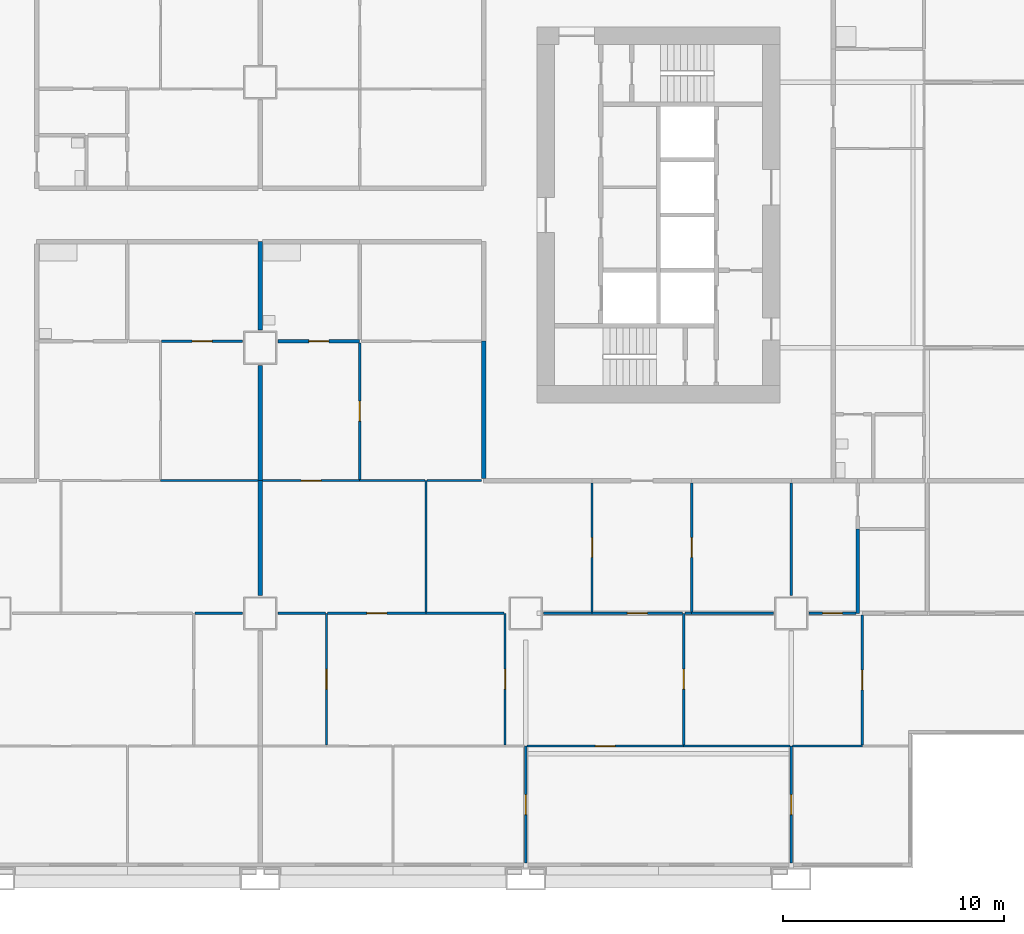
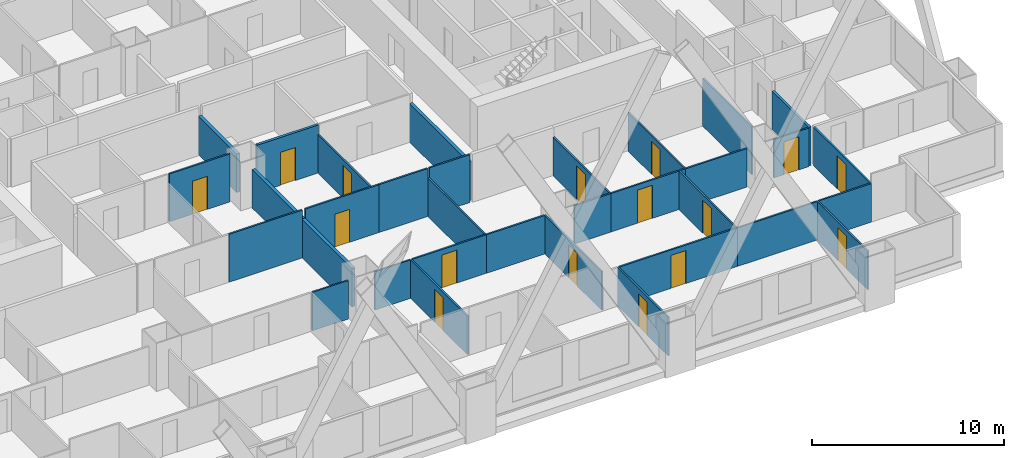
# One storey, part 5 of 13: 34 walls, 16 doors, 16 openings.
"""IFC4 building model written with IfcOpenShell, lengths in metres."""

from ifc_helpers import new_model, si_unit, direction, frame, frame_2d, origin, place, context, subcontext, project, spatial, rectangle, extrude, material, layer, layer_set, type_object, element, fill, save


model = new_model("IFC4")

# Units and contexts
model_context = context("Model", 3, precision=1e-05, world=origin(), true_north=direction((0.0, 1.0)))
body_context = subcontext(model_context, "Body", "Model", "MODEL_VIEW")
ifc_project = project(units=[si_unit("LENGTHUNIT", "METRE"), si_unit("AREAUNIT", "SQUARE_METRE"), si_unit("VOLUMEUNIT", "CUBIC_METRE"), si_unit("PLANEANGLEUNIT", "RADIAN"), si_unit("MASSUNIT", "GRAM", prefix="KILO")], contexts=[model_context])

# Site, building, storey
site_placement = place(None, origin())
site = spatial("IfcSite", under=ifc_project, at=site_placement, CompositionType="ELEMENT")
building_placement = place(site_placement, origin())
building = spatial("IfcBuilding", under=site, at=building_placement, Name="Kitamizu Gate Tower and Museum", CompositionType="ELEMENT")
storey_placement = place(building_placement, frame((0.0, 0.0, 30.0)))
storey = spatial("IfcBuildingStorey", under=building, at=storey_placement, Name="L05", CompositionType="ELEMENT", Elevation=30.0)

# Walls
ifc_material_1 = material(Name="Gypsum board on galvanised stud")
ifc_layer_1 = layer(ifc_material_1, 0.10009765625)
ifc_layer_set_1 = layer_set([ifc_layer_1], Name="Gypsum board on galvanised stud")
wall_type_1 = type_object("IfcWallType", Name="Partition 100 NOT RATED", PredefinedType="PARTITIONING", material=ifc_layer_set_1)
wall_1_placement = place(storey_placement, frame((35.199951171875, 12.0, 0.0), z_axis=(0.0, 0.0, 1.0), x_axis=(-1.0, 0.0, 0.0)))
element("IfcWall", 1, at=wall_1_placement, inside=storey, type_object=wall_type_1, Name="Partition L05-025", PredefinedType="PARTITIONING", context=body_context, shape_type="SweptSolid", body=[
    extrude(rectangle(XDim=2.14990234375, YDim=0.10009765625, at=frame_2d((1.074951171875, 0.0))), origin(), (0.0, 0.0, 1.0), 2.449951171875),
])
wall_2_placement = place(storey_placement, frame((35.89990234375, 18.0, 0.0), z_axis=(0.0, 0.0, 1.0), x_axis=(-1.0, 0.0, 0.0)))
element("IfcWall", 2, at=wall_2_placement, inside=storey, type_object=wall_type_1, Name="Partition L05-037", PredefinedType="PARTITIONING", context=body_context, shape_type="SweptSolid", body=[
    extrude(rectangle(XDim=4.39990234375, YDim=0.10009765625, at=frame_2d((2.199951171875, 0.0))), origin(), (0.0, 0.0, 1.0), 3.050048828125),
])

# Wall, opening, door
wall_3_placement = place(storey_placement, frame((35.199951171875, 24.300048828125, 0.0), z_axis=(0.0, 0.0, 1.0), x_axis=(-1.0, 0.0, 0.0)))
wall_3 = element("IfcWall", 3, at=wall_3_placement, inside=storey, type_object=wall_type_1, Name="Partition L05-044", PredefinedType="PARTITIONING", context=body_context, shape_type="SweptSolid", body=[
    extrude(rectangle(XDim=3.64990234375, YDim=0.10009765625, at=frame_2d((1.824951171875, 0.0))), origin(), (0.0, 0.0, 1.0), 3.050048828125),
])
opening_1_placement = place(wall_3_placement, frame((1.375, 0.0, 0.0)))
opening_1 = element("IfcOpeningElement", 4, at=opening_1_placement, cuts=wall_3, Name="Opening L05-018", PredefinedType="OPENING", context=body_context, shape_type="SweptSolid", body=[
    extrude(rectangle(XDim=0.89990234375, YDim=2.10009765625, at=frame_2d((0.449951171875, 1.050048828125))), frame((0.0, 0.06005859375, 0.0), z_axis=(0.0, -1.0, 0.0), x_axis=(1.0, 0.0, 0.0)), (0.0, 0.0, 1.0), 0.1201171875),
])
ifc_material_2 = material(Name="Timber door set", Category="wood")
door_type_1 = type_object("IfcDoorType", Name="Room door 900", OperationType="NOTDEFINED", PredefinedType="DOOR", material=ifc_material_2)
door_1_placement = place(opening_1_placement, frame((0.89990234375, 0.0, 0.0), x_axis=(-1.0, 0.0, 0.0)))
door_1 = element("IfcDoor", 5, at=door_1_placement, inside=storey, type_object=door_type_1, Name="Door L05-018", OperationType="SINGLE_SWING_LEFT", OverallHeight=2.10009765625, OverallWidth=0.89990234375, PredefinedType="DOOR", context=body_context, shape_type="SweptSolid", body=[
    extrude(rectangle(XDim=0.89990234375, YDim=2.10009765625, at=frame_2d((0.449951171875, 1.050048828125))), frame((0.0, 0.02490234375, 0.0), z_axis=(0.0, -1.0, 0.0), x_axis=(1.0, 0.0, 0.0)), (0.0, 0.0, 1.0), 0.050048828125),
])
fill(opening_1, door_1)

wall_4_placement = place(storey_placement, frame((48.0, 0.719970703125, 0.0), z_axis=(0.0, 0.0, 1.0), x_axis=(0.0, 1.0, 0.0)))
wall_4 = element("IfcWall", 6, at=wall_4_placement, inside=storey, type_object=wall_type_1, Name="Partition L05-076", PredefinedType="PARTITIONING", context=body_context, shape_type="SweptSolid", body=[
    extrude(rectangle(XDim=5.280029296875, YDim=0.10009765625, at=frame_2d((2.64013671875, 0.0))), origin(), (0.0, 0.0, 1.0), 2.449951171875),
])
opening_2_placement = place(wall_4_placement, frame((2.18994140625, 0.0, 0.0)))
opening_2 = element("IfcOpeningElement", 7, at=opening_2_placement, cuts=wall_4, Name="Opening L05-032", PredefinedType="OPENING", context=body_context, shape_type="SweptSolid", body=[
    extrude(rectangle(XDim=0.89990234375, YDim=2.10009765625, at=frame_2d((0.449951171875, 1.050048828125))), frame((0.0, 0.06005859375, 0.0), z_axis=(0.0, -1.0, 0.0), x_axis=(1.0, 0.0, 0.0)), (0.0, 0.0, 1.0), 0.1201171875),
])
door_2_placement = place(opening_2_placement, origin())
door_2 = element("IfcDoor", 8, at=door_2_placement, inside=storey, type_object=door_type_1, Name="Door L05-032", OperationType="SINGLE_SWING_LEFT", OverallHeight=2.10009765625, OverallWidth=0.89990234375, PredefinedType="DOOR", context=body_context, shape_type="SweptSolid", body=[
    extrude(rectangle(XDim=0.89990234375, YDim=2.10009765625, at=frame_2d((0.449951171875, 1.050048828125))), frame((0.0, 0.02490234375, 0.0), z_axis=(0.0, -1.0, 0.0), x_axis=(1.0, 0.0, 0.0)), (0.0, 0.0, 1.0), 0.050048828125),
])
fill(opening_2, door_2)

wall_5_placement = place(storey_placement, frame((60.0, 0.719970703125, 0.0), z_axis=(0.0, 0.0, 1.0), x_axis=(0.0, 1.0, 0.0)))
wall_5 = element("IfcWall", 9, at=wall_5_placement, inside=storey, type_object=wall_type_1, Name="Partition L05-079", PredefinedType="PARTITIONING", context=body_context, shape_type="SweptSolid", body=[
    extrude(rectangle(XDim=5.280029296875, YDim=0.10009765625, at=frame_2d((2.64013671875, 0.0))), origin(), (0.0, 0.0, 1.0), 2.449951171875),
])
opening_3_placement = place(wall_5_placement, frame((2.18994140625, 0.0, 0.0)))
opening_3 = element("IfcOpeningElement", 10, at=opening_3_placement, cuts=wall_5, Name="Opening L05-035", PredefinedType="OPENING", context=body_context, shape_type="SweptSolid", body=[
    extrude(rectangle(XDim=0.89990234375, YDim=2.10009765625, at=frame_2d((0.449951171875, 1.050048828125))), frame((0.0, 0.06005859375, 0.0), z_axis=(0.0, -1.0, 0.0), x_axis=(1.0, 0.0, 0.0)), (0.0, 0.0, 1.0), 0.1201171875),
])
door_3_placement = place(opening_3_placement, frame((0.89990234375, 0.0, 0.0), x_axis=(-1.0, 0.0, 0.0)))
door_3 = element("IfcDoor", 11, at=door_3_placement, inside=storey, type_object=door_type_1, Name="Door L05-035", OperationType="SINGLE_SWING_RIGHT", OverallHeight=2.10009765625, OverallWidth=0.89990234375, PredefinedType="DOOR", context=body_context, shape_type="SweptSolid", body=[
    extrude(rectangle(XDim=0.89990234375, YDim=2.10009765625, at=frame_2d((0.449951171875, 1.050048828125))), frame((0.0, 0.02490234375, 0.0), z_axis=(0.0, -1.0, 0.0), x_axis=(1.0, 0.0, 0.0)), (0.0, 0.0, 1.0), 0.050048828125),
])
fill(opening_3, door_3)

wall_6_placement = place(storey_placement, frame((55.139892578125, 6.0, 0.0), z_axis=(0.0, 0.0, 1.0), x_axis=(-1.0, 0.0, 0.0)))
wall_6 = element("IfcWall", 12, at=wall_6_placement, inside=storey, type_object=wall_type_1, Name="Partition L05-080", PredefinedType="PARTITIONING", context=body_context, shape_type="SweptSolid", body=[
    extrude(rectangle(XDim=7.08984375, YDim=0.10009765625, at=frame_2d((3.544921875, 0.0))), origin(), (0.0, 0.0, 1.0), 2.449951171875),
])
opening_4_placement = place(wall_6_placement, frame((3.094970703125, 0.0, 0.0)))
opening_4 = element("IfcOpeningElement", 13, at=opening_4_placement, cuts=wall_6, Name="Opening L05-029", PredefinedType="OPENING", context=body_context, shape_type="SweptSolid", body=[
    extrude(rectangle(XDim=0.89990234375, YDim=2.10009765625, at=frame_2d((0.449951171875, 1.050048828125))), frame((0.0, 0.06005859375, 0.0), z_axis=(0.0, -1.0, 0.0), x_axis=(1.0, 0.0, 0.0)), (0.0, 0.0, 1.0), 0.1201171875),
])
door_4_placement = place(opening_4_placement, frame((0.89990234375, 0.0, 0.0), x_axis=(-1.0, 0.0, 0.0)))
door_4 = element("IfcDoor", 14, at=door_4_placement, inside=storey, type_object=door_type_1, Name="Door L05-029", OperationType="SINGLE_SWING_LEFT", OverallHeight=2.10009765625, OverallWidth=0.89990234375, PredefinedType="DOOR", context=body_context, shape_type="SweptSolid", body=[
    extrude(rectangle(XDim=0.89990234375, YDim=2.10009765625, at=frame_2d((0.449951171875, 1.050048828125))), frame((0.0, 0.02490234375, 0.0), z_axis=(0.0, -1.0, 0.0), x_axis=(1.0, 0.0, 0.0)), (0.0, 0.0, 1.0), 0.050048828125),
])
fill(opening_4, door_4)

# Walls
wall_7_placement = place(storey_placement, frame((59.949951171875, 6.0, 0.0), z_axis=(0.0, 0.0, 1.0), x_axis=(-1.0, 0.0, 0.0)))
element("IfcWall", 15, at=wall_7_placement, inside=storey, type_object=wall_type_1, Name="Partition L05-081", PredefinedType="PARTITIONING", context=body_context, shape_type="SweptSolid", body=[
    extrude(rectangle(XDim=4.81005859375, YDim=0.10009765625, at=frame_2d((2.405029296875, 0.0))), origin(), (0.0, 0.0, 1.0), 2.449951171875),
])
wall_8_placement = place(storey_placement, frame((63.2099609375, 6.0, 0.0), z_axis=(0.0, 0.0, 1.0), x_axis=(-1.0, 0.0, 0.0)))
element("IfcWall", 16, at=wall_8_placement, inside=storey, type_object=wall_type_1, Name="Partition L05-082", PredefinedType="PARTITIONING", context=body_context, shape_type="SweptSolid", body=[
    extrude(rectangle(XDim=3.159912109375, YDim=0.10009765625, at=frame_2d((1.580078125, 0.0))), origin(), (0.0, 0.0, 1.0), 2.449951171875),
])

# Wall, opening, door
wall_9_placement = place(storey_placement, frame((39.0, 6.050048828125, 0.0), z_axis=(0.0, 0.0, 1.0), x_axis=(0.0, 1.0, 0.0)))
wall_9 = element("IfcWall", 17, at=wall_9_placement, inside=storey, type_object=wall_type_1, Name="Partition L05-084", PredefinedType="PARTITIONING", context=body_context, shape_type="SweptSolid", body=[
    extrude(rectangle(XDim=5.949951171875, YDim=0.10009765625, at=frame_2d((2.97509765625, 0.0))), origin(), (0.0, 0.0, 1.0), 2.449951171875),
])
opening_5_placement = place(wall_9_placement, frame((2.52490234375, 0.0, 0.0)))
opening_5 = element("IfcOpeningElement", 18, at=opening_5_placement, cuts=wall_9, Name="Opening L05-036", PredefinedType="OPENING", context=body_context, shape_type="SweptSolid", body=[
    extrude(rectangle(XDim=0.89990234375, YDim=2.10009765625, at=frame_2d((0.449951171875, 1.050048828125))), frame((0.0, 0.06005859375, 0.0), z_axis=(0.0, -1.0, 0.0), x_axis=(1.0, 0.0, 0.0)), (0.0, 0.0, 1.0), 0.1201171875),
])
door_5_placement = place(opening_5_placement, origin())
door_5 = element("IfcDoor", 19, at=door_5_placement, inside=storey, type_object=door_type_1, Name="Door L05-036", OperationType="SINGLE_SWING_RIGHT", OverallHeight=2.10009765625, OverallWidth=0.89990234375, PredefinedType="DOOR", context=body_context, shape_type="SweptSolid", body=[
    extrude(rectangle(XDim=0.89990234375, YDim=2.10009765625, at=frame_2d((0.449951171875, 1.050048828125))), frame((0.0, 0.02490234375, 0.0), z_axis=(0.0, -1.0, 0.0), x_axis=(1.0, 0.0, 0.0)), (0.0, 0.0, 1.0), 0.050048828125),
])
fill(opening_5, door_5)

# Wall
wall_10_placement = place(storey_placement, frame((38.949951171875, 12.0, 0.0), z_axis=(0.0, 0.0, 1.0), x_axis=(-1.0, 0.0, 0.0)))
element("IfcWall", 20, at=wall_10_placement, inside=storey, type_object=wall_type_1, Name="Partition L05-085", PredefinedType="PARTITIONING", context=body_context, shape_type="SweptSolid", body=[
    extrude(rectangle(XDim=2.14990234375, YDim=0.10009765625, at=frame_2d((1.074951171875, 0.0))), origin(), (0.0, 0.0, 1.0), 2.449951171875),
])

# Wall, opening, door
wall_11_placement = place(storey_placement, frame((47.070068359375, 6.050048828125, 0.0), z_axis=(0.0, 0.0, 1.0), x_axis=(0.0, 1.0, 0.0)))
wall_11 = element("IfcWall", 21, at=wall_11_placement, inside=storey, type_object=wall_type_1, Name="Partition L05-086", PredefinedType="PARTITIONING", context=body_context, shape_type="SweptSolid", body=[
    extrude(rectangle(XDim=5.949951171875, YDim=0.10009765625, at=frame_2d((2.97509765625, 0.0))), origin(), (0.0, 0.0, 1.0), 2.449951171875),
])
opening_6_placement = place(wall_11_placement, frame((2.52490234375, 0.0, 0.0)))
opening_6 = element("IfcOpeningElement", 22, at=opening_6_placement, cuts=wall_11, Name="Opening L05-030", PredefinedType="OPENING", context=body_context, shape_type="SweptSolid", body=[
    extrude(rectangle(XDim=0.89990234375, YDim=2.10009765625, at=frame_2d((0.449951171875, 1.050048828125))), frame((0.0, 0.06005859375, 0.0), z_axis=(0.0, -1.0, 0.0), x_axis=(1.0, 0.0, 0.0)), (0.0, 0.0, 1.0), 0.1201171875),
])
door_6_placement = place(opening_6_placement, frame((0.89990234375, 0.0, 0.0), x_axis=(-1.0, 0.0, 0.0)))
door_6 = element("IfcDoor", 23, at=door_6_placement, inside=storey, type_object=door_type_1, Name="Door L05-030", OperationType="SINGLE_SWING_RIGHT", OverallHeight=2.10009765625, OverallWidth=0.89990234375, PredefinedType="DOOR", context=body_context, shape_type="SweptSolid", body=[
    extrude(rectangle(XDim=0.89990234375, YDim=2.10009765625, at=frame_2d((0.449951171875, 1.050048828125))), frame((0.0, 0.02490234375, 0.0), z_axis=(0.0, -1.0, 0.0), x_axis=(1.0, 0.0, 0.0)), (0.0, 0.0, 1.0), 0.050048828125),
])
fill(opening_6, door_6)

wall_12_placement = place(storey_placement, frame((43.5, 12.0, 0.0), z_axis=(0.0, 0.0, 1.0), x_axis=(-1.0, 0.0, 0.0)))
wall_12 = element("IfcWall", 24, at=wall_12_placement, inside=storey, type_object=wall_type_1, Name="Partition L05-087", PredefinedType="PARTITIONING", context=body_context, shape_type="SweptSolid", body=[
    extrude(rectangle(XDim=4.449951171875, YDim=0.10009765625, at=frame_2d((2.22509765625, 0.0))), origin(), (0.0, 0.0, 1.0), 2.449951171875),
])
opening_7_placement = place(wall_12_placement, frame((1.77490234375, 0.0, 0.0)))
opening_7 = element("IfcOpeningElement", 25, at=opening_7_placement, cuts=wall_12, Name="Opening L05-037", PredefinedType="OPENING", context=body_context, shape_type="SweptSolid", body=[
    extrude(rectangle(XDim=0.89990234375, YDim=2.10009765625, at=frame_2d((0.449951171875, 1.050048828125))), frame((0.0, 0.06005859375, 0.0), z_axis=(0.0, -1.0, 0.0), x_axis=(1.0, 0.0, 0.0)), (0.0, 0.0, 1.0), 0.1201171875),
])
door_7_placement = place(opening_7_placement, frame((0.89990234375, 0.0, 0.0), x_axis=(-1.0, 0.0, 0.0)))
door_7 = element("IfcDoor", 26, at=door_7_placement, inside=storey, type_object=door_type_1, Name="Door L05-037", OperationType="SINGLE_SWING_RIGHT", OverallHeight=2.10009765625, OverallWidth=0.89990234375, PredefinedType="DOOR", context=body_context, shape_type="SweptSolid", body=[
    extrude(rectangle(XDim=0.89990234375, YDim=2.10009765625, at=frame_2d((0.449951171875, 1.050048828125))), frame((0.0, 0.02490234375, 0.0), z_axis=(0.0, -1.0, 0.0), x_axis=(1.0, 0.0, 0.0)), (0.0, 0.0, 1.0), 0.050048828125),
])
fill(opening_7, door_7)

# Wall
wall_13_placement = place(storey_placement, frame((47.02001953125, 12.0, 0.0), z_axis=(0.0, 0.0, 1.0), x_axis=(-1.0, 0.0, 0.0)))
element("IfcWall", 27, at=wall_13_placement, inside=storey, type_object=wall_type_1, Name="Partition L05-088", PredefinedType="PARTITIONING", context=body_context, shape_type="SweptSolid", body=[
    extrude(rectangle(XDim=3.52001953125, YDim=0.10009765625, at=frame_2d((1.760009765625, 0.0))), origin(), (0.0, 0.0, 1.0), 2.449951171875),
])

# Wall, opening, door
wall_14_placement = place(storey_placement, frame((55.139892578125, 6.050048828125, 0.0), z_axis=(0.0, 0.0, 1.0), x_axis=(0.0, 1.0, 0.0)))
wall_14 = element("IfcWall", 28, at=wall_14_placement, inside=storey, type_object=wall_type_1, Name="Partition L05-089", PredefinedType="PARTITIONING", context=body_context, shape_type="SweptSolid", body=[
    extrude(rectangle(XDim=5.949951171875, YDim=0.10009765625, at=frame_2d((2.97509765625, 0.0))), origin(), (0.0, 0.0, 1.0), 2.449951171875),
])
opening_8_placement = place(wall_14_placement, frame((2.52490234375, 0.0, 0.0)))
opening_8 = element("IfcOpeningElement", 29, at=opening_8_placement, cuts=wall_14, Name="Opening L05-031", PredefinedType="OPENING", context=body_context, shape_type="SweptSolid", body=[
    extrude(rectangle(XDim=0.89990234375, YDim=2.10009765625, at=frame_2d((0.449951171875, 1.050048828125))), frame((0.0, 0.06005859375, 0.0), z_axis=(0.0, -1.0, 0.0), x_axis=(1.0, 0.0, 0.0)), (0.0, 0.0, 1.0), 0.1201171875),
])
door_8_placement = place(opening_8_placement, origin())
door_8 = element("IfcDoor", 30, at=door_8_placement, inside=storey, type_object=door_type_1, Name="Door L05-031", OperationType="SINGLE_SWING_RIGHT", OverallHeight=2.10009765625, OverallWidth=0.89990234375, PredefinedType="DOOR", context=body_context, shape_type="SweptSolid", body=[
    extrude(rectangle(XDim=0.89990234375, YDim=2.10009765625, at=frame_2d((0.449951171875, 1.050048828125))), frame((0.0, 0.02490234375, 0.0), z_axis=(0.0, -1.0, 0.0), x_axis=(1.0, 0.0, 0.0)), (0.0, 0.0, 1.0), 0.050048828125),
])
fill(opening_8, door_8)

# Wall
wall_15_placement = place(storey_placement, frame((51.0, 12.0, 0.0), z_axis=(0.0, 0.0, 1.0), x_axis=(-1.0, 0.0, 0.0)))
element("IfcWall", 31, at=wall_15_placement, inside=storey, type_object=wall_type_1, Name="Partition L05-090", PredefinedType="PARTITIONING", context=body_context, shape_type="SweptSolid", body=[
    extrude(rectangle(XDim=2.199951171875, YDim=0.10009765625, at=frame_2d((1.10009765625, 0.0))), origin(), (0.0, 0.0, 1.0), 2.449951171875),
])

# Wall, opening, door
wall_16_placement = place(storey_placement, frame((55.090087890625, 12.0, 0.0), z_axis=(0.0, 0.0, 1.0), x_axis=(-1.0, 0.0, 0.0)))
wall_16 = element("IfcWall", 32, at=wall_16_placement, inside=storey, type_object=wall_type_1, Name="Partition L05-091", PredefinedType="PARTITIONING", context=body_context, shape_type="SweptSolid", body=[
    extrude(rectangle(XDim=4.090087890625, YDim=0.10009765625, at=frame_2d((2.044921875, 0.0))), origin(), (0.0, 0.0, 1.0), 2.449951171875),
])
opening_9_placement = place(wall_16_placement, frame((1.594970703125, 0.0, 0.0)))
opening_9 = element("IfcOpeningElement", 33, at=opening_9_placement, cuts=wall_16, Name="Opening L05-028", PredefinedType="OPENING", context=body_context, shape_type="SweptSolid", body=[
    extrude(rectangle(XDim=0.89990234375, YDim=2.10009765625, at=frame_2d((0.449951171875, 1.050048828125))), frame((0.0, 0.06005859375, 0.0), z_axis=(0.0, -1.0, 0.0), x_axis=(1.0, 0.0, 0.0)), (0.0, 0.0, 1.0), 0.1201171875),
])
door_9_placement = place(opening_9_placement, origin())
door_9 = element("IfcDoor", 34, at=door_9_placement, inside=storey, type_object=door_type_1, Name="Door L05-028", OperationType="SINGLE_SWING_LEFT", OverallHeight=2.10009765625, OverallWidth=0.89990234375, PredefinedType="DOOR", context=body_context, shape_type="SweptSolid", body=[
    extrude(rectangle(XDim=0.89990234375, YDim=2.10009765625, at=frame_2d((0.449951171875, 1.050048828125))), frame((0.0, 0.02490234375, 0.0), z_axis=(0.0, -1.0, 0.0), x_axis=(1.0, 0.0, 0.0)), (0.0, 0.0, 1.0), 0.050048828125),
])
fill(opening_9, door_9)

wall_17_placement = place(storey_placement, frame((63.2099609375, 6.050048828125, 0.0), z_axis=(0.0, 0.0, 1.0), x_axis=(0.0, 1.0, 0.0)))
wall_17 = element("IfcWall", 35, at=wall_17_placement, inside=storey, type_object=wall_type_1, Name="Partition L05-092", PredefinedType="PARTITIONING", context=body_context, shape_type="SweptSolid", body=[
    extrude(rectangle(XDim=5.875, YDim=0.10009765625, at=frame_2d((2.9375, 0.0))), origin(), (0.0, 0.0, 1.0), 2.449951171875),
])
opening_10_placement = place(wall_17_placement, frame((2.487548828125, 0.0, 0.0)))
opening_10 = element("IfcOpeningElement", 36, at=opening_10_placement, cuts=wall_17, Name="Opening L05-034", PredefinedType="OPENING", context=body_context, shape_type="SweptSolid", body=[
    extrude(rectangle(XDim=0.89990234375, YDim=2.10009765625, at=frame_2d((0.449951171875, 1.050048828125))), frame((0.0, 0.06005859375, 0.0), z_axis=(0.0, -1.0, 0.0), x_axis=(1.0, 0.0, 0.0)), (0.0, 0.0, 1.0), 0.1201171875),
])
door_10_placement = place(opening_10_placement, frame((0.89990234375, 0.0, 0.0), x_axis=(-1.0, 0.0, 0.0)))
door_10 = element("IfcDoor", 37, at=door_10_placement, inside=storey, type_object=door_type_1, Name="Door L05-034", OperationType="SINGLE_SWING_LEFT", OverallHeight=2.10009765625, OverallWidth=0.89990234375, PredefinedType="DOOR", context=body_context, shape_type="SweptSolid", body=[
    extrude(rectangle(XDim=0.89990234375, YDim=2.10009765625, at=frame_2d((0.449951171875, 1.050048828125))), frame((0.0, 0.02490234375, 0.0), z_axis=(0.0, -1.0, 0.0), x_axis=(1.0, 0.0, 0.0)), (0.0, 0.0, 1.0), 0.050048828125),
])
fill(opening_10, door_10)

# Walls
wall_18_placement = place(storey_placement, frame((55.5, 12.0, 0.0), z_axis=(0.0, 0.0, 1.0), x_axis=(-1.0, 0.0, 0.0)))
element("IfcWall", 38, at=wall_18_placement, inside=storey, type_object=wall_type_1, Name="Partition L05-093", PredefinedType="PARTITIONING", context=body_context, shape_type="SweptSolid", body=[
    extrude(rectangle(XDim=0.31005859375, YDim=0.10009765625, at=frame_2d((0.155029296875, 0.0))), origin(), (0.0, 0.0, 1.0), 2.449951171875),
])
wall_19_placement = place(storey_placement, frame((59.199951171875, 12.0, 0.0), z_axis=(0.0, 0.0, 1.0), x_axis=(-1.0, 0.0, 0.0)))
element("IfcWall", 39, at=wall_19_placement, inside=storey, type_object=wall_type_1, Name="Partition L05-094", PredefinedType="PARTITIONING", context=body_context, shape_type="SweptSolid", body=[
    extrude(rectangle(XDim=3.699951171875, YDim=0.10009765625, at=frame_2d((1.85009765625, 0.0))), origin(), (0.0, 0.0, 1.0), 2.449951171875),
])

# Wall, opening, door
wall_20_placement = place(storey_placement, frame((62.925048828125, 12.0, 0.0), z_axis=(0.0, 0.0, 1.0), x_axis=(-1.0, 0.0, 0.0)))
wall_20 = element("IfcWall", 40, at=wall_20_placement, inside=storey, type_object=wall_type_1, Name="Partition L05-095", PredefinedType="PARTITIONING", context=body_context, shape_type="SweptSolid", body=[
    extrude(rectangle(XDim=2.125, YDim=0.10009765625, at=frame_2d((1.0625, 0.0))), origin(), (0.0, 0.0, 1.0), 2.449951171875),
])
opening_11_placement = place(wall_20_placement, frame((0.612548828125, 0.0, 0.0)))
opening_11 = element("IfcOpeningElement", 41, at=opening_11_placement, cuts=wall_20, Name="Opening L05-040", PredefinedType="OPENING", context=body_context, shape_type="SweptSolid", body=[
    extrude(rectangle(XDim=0.89990234375, YDim=2.10009765625, at=frame_2d((0.449951171875, 1.050048828125))), frame((0.0, 0.06005859375, 0.0), z_axis=(0.0, -1.0, 0.0), x_axis=(1.0, 0.0, 0.0)), (0.0, 0.0, 1.0), 0.1201171875),
])
door_11_placement = place(opening_11_placement, frame((0.89990234375, 0.0, 0.0), x_axis=(-1.0, 0.0, 0.0)))
door_11 = element("IfcDoor", 42, at=door_11_placement, inside=storey, type_object=door_type_1, Name="Door L05-040", OperationType="SINGLE_SWING_LEFT", OverallHeight=2.10009765625, OverallWidth=0.89990234375, PredefinedType="DOOR", context=body_context, shape_type="SweptSolid", body=[
    extrude(rectangle(XDim=0.89990234375, YDim=2.10009765625, at=frame_2d((0.449951171875, 1.050048828125))), frame((0.0, 0.02490234375, 0.0), z_axis=(0.0, -1.0, 0.0), x_axis=(1.0, 0.0, 0.0)), (0.0, 0.0, 1.0), 0.050048828125),
])
fill(opening_11, door_11)

# Wall
wall_21_placement = place(storey_placement, frame((43.5, 12.050048828125, 0.0), z_axis=(0.0, 0.0, 1.0), x_axis=(0.0, 1.0, 0.0)))
element("IfcWall", 43, at=wall_21_placement, inside=storey, type_object=wall_type_1, Name="Partition L05-098", PredefinedType="PARTITIONING", context=body_context, shape_type="SweptSolid", body=[
    extrude(rectangle(XDim=5.949951171875, YDim=0.10009765625, at=frame_2d((2.97509765625, 0.0))), origin(), (0.0, 0.0, 1.0), 2.449951171875),
])

# Wall, opening, door
wall_22_placement = place(storey_placement, frame((40.5, 18.0, 0.0), z_axis=(0.0, 0.0, 1.0), x_axis=(-1.0, 0.0, 0.0)))
wall_22 = element("IfcWall", 44, at=wall_22_placement, inside=storey, type_object=wall_type_1, Name="Partition L05-099", PredefinedType="PARTITIONING", context=body_context, shape_type="SweptSolid", body=[
    extrude(rectangle(XDim=4.39990234375, YDim=0.10009765625, at=frame_2d((2.199951171875, 0.0))), origin(), (0.0, 0.0, 1.0), 3.050048828125),
])
opening_12_placement = place(wall_22_placement, frame((1.75, 0.0, 0.0)))
opening_12 = element("IfcOpeningElement", 45, at=opening_12_placement, cuts=wall_22, Name="Opening L05-044", PredefinedType="OPENING", context=body_context, shape_type="SweptSolid", body=[
    extrude(rectangle(XDim=0.89990234375, YDim=2.10009765625, at=frame_2d((0.449951171875, 1.050048828125))), frame((0.0, 0.06005859375, 0.0), z_axis=(0.0, -1.0, 0.0), x_axis=(1.0, 0.0, 0.0)), (0.0, 0.0, 1.0), 0.1201171875),
])
door_12_placement = place(opening_12_placement, frame((0.89990234375, 0.0, 0.0), x_axis=(-1.0, 0.0, 0.0)))
door_12 = element("IfcDoor", 46, at=door_12_placement, inside=storey, type_object=door_type_1, Name="Door L05-044", OperationType="SINGLE_SWING_LEFT", OverallHeight=2.10009765625, OverallWidth=0.89990234375, PredefinedType="DOOR", context=body_context, shape_type="SweptSolid", body=[
    extrude(rectangle(XDim=0.89990234375, YDim=2.10009765625, at=frame_2d((0.449951171875, 1.050048828125))), frame((0.0, 0.02490234375, 0.0), z_axis=(0.0, -1.0, 0.0), x_axis=(1.0, 0.0, 0.0)), (0.0, 0.0, 1.0), 0.050048828125),
])
fill(opening_12, door_12)

# Wall
wall_23_placement = place(storey_placement, frame((43.449951171875, 18.0, 0.0), z_axis=(0.0, 0.0, 1.0), x_axis=(-1.0, 0.0, 0.0)))
element("IfcWall", 47, at=wall_23_placement, inside=storey, type_object=wall_type_1, Name="Partition L05-100", PredefinedType="PARTITIONING", context=body_context, shape_type="SweptSolid", body=[
    extrude(rectangle(XDim=2.949951171875, YDim=0.10009765625, at=frame_2d((1.47509765625, 0.0))), origin(), (0.0, 0.0, 1.0), 3.050048828125),
])

# Wall, opening, door
wall_24_placement = place(storey_placement, frame((51.0, 12.050048828125, 0.0), z_axis=(0.0, 0.0, 1.0), x_axis=(0.0, 1.0, 0.0)))
wall_24 = element("IfcWall", 48, at=wall_24_placement, inside=storey, type_object=wall_type_1, Name="Partition L05-101", PredefinedType="PARTITIONING", context=body_context, shape_type="SweptSolid", body=[
    extrude(rectangle(XDim=5.849853515625, YDim=0.10009765625, at=frame_2d((2.9248046875, 0.0))), origin(), (0.0, 0.0, 1.0), 2.449951171875),
])
opening_13_placement = place(wall_24_placement, frame((2.47509765625, 0.0, 0.0)))
opening_13 = element("IfcOpeningElement", 49, at=opening_13_placement, cuts=wall_24, Name="Opening L05-038", PredefinedType="OPENING", context=body_context, shape_type="SweptSolid", body=[
    extrude(rectangle(XDim=0.89990234375, YDim=2.10009765625, at=frame_2d((0.449951171875, 1.050048828125))), frame((0.0, 0.06005859375, 0.0), z_axis=(0.0, -1.0, 0.0), x_axis=(1.0, 0.0, 0.0)), (0.0, 0.0, 1.0), 0.1201171875),
])
door_13_placement = place(opening_13_placement, origin())
door_13 = element("IfcDoor", 50, at=door_13_placement, inside=storey, type_object=door_type_1, Name="Door L05-038", OperationType="SINGLE_SWING_RIGHT", OverallHeight=2.10009765625, OverallWidth=0.89990234375, PredefinedType="DOOR", context=body_context, shape_type="SweptSolid", body=[
    extrude(rectangle(XDim=0.89990234375, YDim=2.10009765625, at=frame_2d((0.449951171875, 1.050048828125))), frame((0.0, 0.02490234375, 0.0), z_axis=(0.0, -1.0, 0.0), x_axis=(1.0, 0.0, 0.0)), (0.0, 0.0, 1.0), 0.050048828125),
])
fill(opening_13, door_13)

# Wall
wall_25_placement = place(storey_placement, frame((46.0, 18.0, 0.0), z_axis=(0.0, 0.0, 1.0), x_axis=(-1.0, 0.0, 0.0)))
element("IfcWall", 51, at=wall_25_placement, inside=storey, type_object=wall_type_1, Name="Partition L05-102", PredefinedType="PARTITIONING", context=body_context, shape_type="SweptSolid", body=[
    extrude(rectangle(XDim=2.449951171875, YDim=0.10009765625, at=frame_2d((1.22509765625, 0.0))), origin(), (0.0, 0.0, 1.0), 3.050048828125),
])

# Wall, opening, door
wall_26_placement = place(storey_placement, frame((55.5, 12.050048828125, 0.0), z_axis=(0.0, 0.0, 1.0), x_axis=(0.0, 1.0, 0.0)))
wall_26 = element("IfcWall", 52, at=wall_26_placement, inside=storey, type_object=wall_type_1, Name="Partition L05-104", PredefinedType="PARTITIONING", context=body_context, shape_type="SweptSolid", body=[
    extrude(rectangle(XDim=5.849853515625, YDim=0.10009765625, at=frame_2d((2.9248046875, 0.0))), origin(), (0.0, 0.0, 1.0), 2.449951171875),
])
opening_14_placement = place(wall_26_placement, frame((2.47509765625, 0.0, 0.0)))
opening_14 = element("IfcOpeningElement", 53, at=opening_14_placement, cuts=wall_26, Name="Opening L05-039", PredefinedType="OPENING", context=body_context, shape_type="SweptSolid", body=[
    extrude(rectangle(XDim=0.89990234375, YDim=2.10009765625, at=frame_2d((0.449951171875, 1.050048828125))), frame((0.0, 0.06005859375, 0.0), z_axis=(0.0, -1.0, 0.0), x_axis=(1.0, 0.0, 0.0)), (0.0, 0.0, 1.0), 0.1201171875),
])
door_14_placement = place(opening_14_placement, frame((0.89990234375, 0.0, 0.0), x_axis=(-1.0, 0.0, 0.0)))
door_14 = element("IfcDoor", 54, at=door_14_placement, inside=storey, type_object=door_type_1, Name="Door L05-039", OperationType="SINGLE_SWING_RIGHT", OverallHeight=2.10009765625, OverallWidth=0.89990234375, PredefinedType="DOOR", context=body_context, shape_type="SweptSolid", body=[
    extrude(rectangle(XDim=0.89990234375, YDim=2.10009765625, at=frame_2d((0.449951171875, 1.050048828125))), frame((0.0, 0.02490234375, 0.0), z_axis=(0.0, -1.0, 0.0), x_axis=(1.0, 0.0, 0.0)), (0.0, 0.0, 1.0), 0.050048828125),
])
fill(opening_14, door_14)

# Wall
wall_27_placement = place(storey_placement, frame((60.0, 12.800048828125, 0.0), z_axis=(0.0, 0.0, 1.0), x_axis=(0.0, 1.0, 0.0)))
element("IfcWall", 55, at=wall_27_placement, inside=storey, type_object=wall_type_1, Name="Partition L05-106", PredefinedType="PARTITIONING", context=body_context, shape_type="SweptSolid", body=[
    extrude(rectangle(XDim=5.099853515625, YDim=0.10009765625, at=frame_2d((2.5498046875, 0.0))), origin(), (0.0, 0.0, 1.0), 3.050048828125),
])

# Wall, opening, door
wall_28_placement = place(storey_placement, frame((40.5, 18.050048828125, 0.0), z_axis=(0.0, 0.0, 1.0), x_axis=(0.0, 1.0, 0.0)))
wall_28 = element("IfcWall", 56, at=wall_28_placement, inside=storey, type_object=wall_type_1, Name="Partition L05-118", PredefinedType="PARTITIONING", context=body_context, shape_type="SweptSolid", body=[
    extrude(rectangle(XDim=6.175048828125, YDim=0.10009765625, at=frame_2d((3.08740234375, 0.0))), origin(), (0.0, 0.0, 1.0), 2.449951171875),
])
opening_15_placement = place(wall_28_placement, frame((2.637451171875, 0.0, 0.0)))
opening_15 = element("IfcOpeningElement", 57, at=opening_15_placement, cuts=wall_28, Name="Opening L05-045", PredefinedType="OPENING", context=body_context, shape_type="SweptSolid", body=[
    extrude(rectangle(XDim=0.89990234375, YDim=2.10009765625, at=frame_2d((0.449951171875, 1.050048828125))), frame((0.0, 0.06005859375, 0.0), z_axis=(0.0, -1.0, 0.0), x_axis=(1.0, 0.0, 0.0)), (0.0, 0.0, 1.0), 0.1201171875),
])
door_15_placement = place(opening_15_placement, origin())
door_15 = element("IfcDoor", 58, at=door_15_placement, inside=storey, type_object=door_type_1, Name="Door L05-045", OperationType="SINGLE_SWING_LEFT", OverallHeight=2.10009765625, OverallWidth=0.89990234375, PredefinedType="DOOR", context=body_context, shape_type="SweptSolid", body=[
    extrude(rectangle(XDim=0.89990234375, YDim=2.10009765625, at=frame_2d((0.449951171875, 1.050048828125))), frame((0.0, 0.02490234375, 0.0), z_axis=(0.0, -1.0, 0.0), x_axis=(1.0, 0.0, 0.0)), (0.0, 0.0, 1.0), 0.050048828125),
])
fill(opening_15, door_15)

# Wall
ifc_material_3 = material(Name="Gypsum board on galvanised stud")
ifc_layer_2 = layer(ifc_material_3, 0.14990234375)
ifc_layer_set_2 = layer_set([ifc_layer_2], Name="Gypsum board on galvanised stud")
wall_type_2 = type_object("IfcWallType", Name="Partition 150", PredefinedType="PARTITIONING", material=ifc_layer_set_2)
wall_29_placement = place(storey_placement, frame((63.0, 12.0, 0.0), z_axis=(0.0, 0.0, 1.0), x_axis=(0.0, 1.0, 0.0)))
element("IfcWall", 59, at=wall_29_placement, inside=storey, type_object=wall_type_2, Name="Partition L05-108", PredefinedType="PARTITIONING", context=body_context, shape_type="SweptSolid", body=[
    extrude(rectangle(XDim=3.81396484375, YDim=0.14990234375, at=frame_2d((1.906982421875, 0.0))), origin(), (0.0, 0.0, 1.0), 2.449951171875),
])

# Wall, opening, door
wall_30_placement = place(storey_placement, frame((40.5, 24.300048828125, 0.0), z_axis=(0.0, 0.0, 1.0), x_axis=(-1.0, 0.0, 0.0)))
wall_30 = element("IfcWall", 60, at=wall_30_placement, inside=storey, type_object=wall_type_2, Name="Partition L05-119", PredefinedType="PARTITIONING", context=body_context, shape_type="SweptSolid", body=[
    extrude(rectangle(XDim=3.699951171875, YDim=0.14990234375, at=frame_2d((1.85009765625, 0.0))), origin(), (0.0, 0.0, 1.0), 3.050048828125),
])
opening_16_placement = place(wall_30_placement, frame((1.39990234375, 0.0, 0.0)))
opening_16 = element("IfcOpeningElement", 61, at=opening_16_placement, cuts=wall_30, Name="Opening L05-046", PredefinedType="OPENING", context=body_context, shape_type="SweptSolid", body=[
    extrude(rectangle(XDim=0.89990234375, YDim=2.10009765625, at=frame_2d((0.449951171875, 1.050048828125))), frame((0.0, 0.0849609375, 0.0), z_axis=(0.0, -1.0, 0.0), x_axis=(1.0, 0.0, 0.0)), (0.0, 0.0, 1.0), 0.169921875),
])
ifc_material_4 = material(Name="Timber door set", Category="wood")
door_type_2 = type_object("IfcDoorType", Name="Bathroom door 900", OperationType="NOTDEFINED", PredefinedType="DOOR", material=ifc_material_4)
door_16_placement = place(opening_16_placement, frame((0.89990234375, 0.0, 0.0), x_axis=(-1.0, 0.0, 0.0)))
door_16 = element("IfcDoor", 62, at=door_16_placement, inside=storey, type_object=door_type_2, Name="Bathroom door L05-046", OperationType="SINGLE_SWING_LEFT", OverallHeight=2.10009765625, OverallWidth=0.89990234375, PredefinedType="DOOR", context=body_context, shape_type="SweptSolid", body=[
    extrude(rectangle(XDim=0.89990234375, YDim=2.10009765625, at=frame_2d((0.449951171875, 1.050048828125))), frame((0.0, 0.02490234375, 0.0), z_axis=(0.0, -1.0, 0.0), x_axis=(1.0, 0.0, 0.0)), (0.0, 0.0, 1.0), 0.050048828125),
])
fill(opening_16, door_16)

# Walls
ifc_material_5 = material(Name="Gypsum board on galvanised stud")
ifc_layer_3 = layer(ifc_material_5, 0.199951171875)
ifc_layer_set_3 = layer_set([ifc_layer_3], Name="Gypsum board on galvanised stud")
wall_type_3 = type_object("IfcWallType", Name="Partition 200", PredefinedType="PARTITIONING", material=ifc_layer_set_3)
for number, where, z_axis, x_axis, name in (
    (63, (36.0, 12.800048828125, 0.0), (0.0, 0.0, 1.0), (0.0, 1.0, 0.0), "Partition L05-038"),
    (64, (36.0, 18.0, 0.0), (0.0, 0.0, 1.0), (0.0, 1.0, 0.0), "Partition L05-045"),
):
    element("IfcWall", number, at=place(storey_placement, frame(where, z_axis=z_axis, x_axis=x_axis)), inside=storey, type_object=wall_type_3, Name=name, PredefinedType="PARTITIONING", context=body_context, shape_type="SweptSolid", body=[
        extrude(rectangle(XDim=5.199951171875, YDim=0.199951171875, at=frame_2d((2.60009765625, 0.0))), origin(), (0.0, 0.0, 1.0), 2.449951171875),
    ])
wall_31_placement = place(storey_placement, frame((36.0, 24.800048828125, 0.0), z_axis=(0.0, 0.0, 1.0), x_axis=(0.0, 1.0, 0.0)))
element("IfcWall", 65, at=wall_31_placement, inside=storey, type_object=wall_type_3, Name="Partition L05-049", PredefinedType="PARTITIONING", context=body_context, shape_type="SweptSolid", body=[
    extrude(rectangle(XDim=4.0, YDim=0.199951171875, at=frame_2d((2.0, 0.0))), origin(), (0.0, 0.0, 1.0), 2.449951171875),
])
wall_32_placement = place(storey_placement, frame((46.10009765625, 18.10009765625, 0.0), z_axis=(0.0, 0.0, 1.0), x_axis=(0.0, 1.0, 0.0)))
element("IfcWall", 66, at=wall_32_placement, inside=storey, type_object=wall_type_3, Name="Partition L05-121", PredefinedType="PARTITIONING", context=body_context, shape_type="SweptSolid", body=[
    extrude(rectangle(XDim=6.199951171875, YDim=0.199951171875, at=frame_2d((3.10009765625, 0.0))), origin(), (0.0, 0.0, 1.0), 2.449951171875),
])

save(model, "model.ifc")
